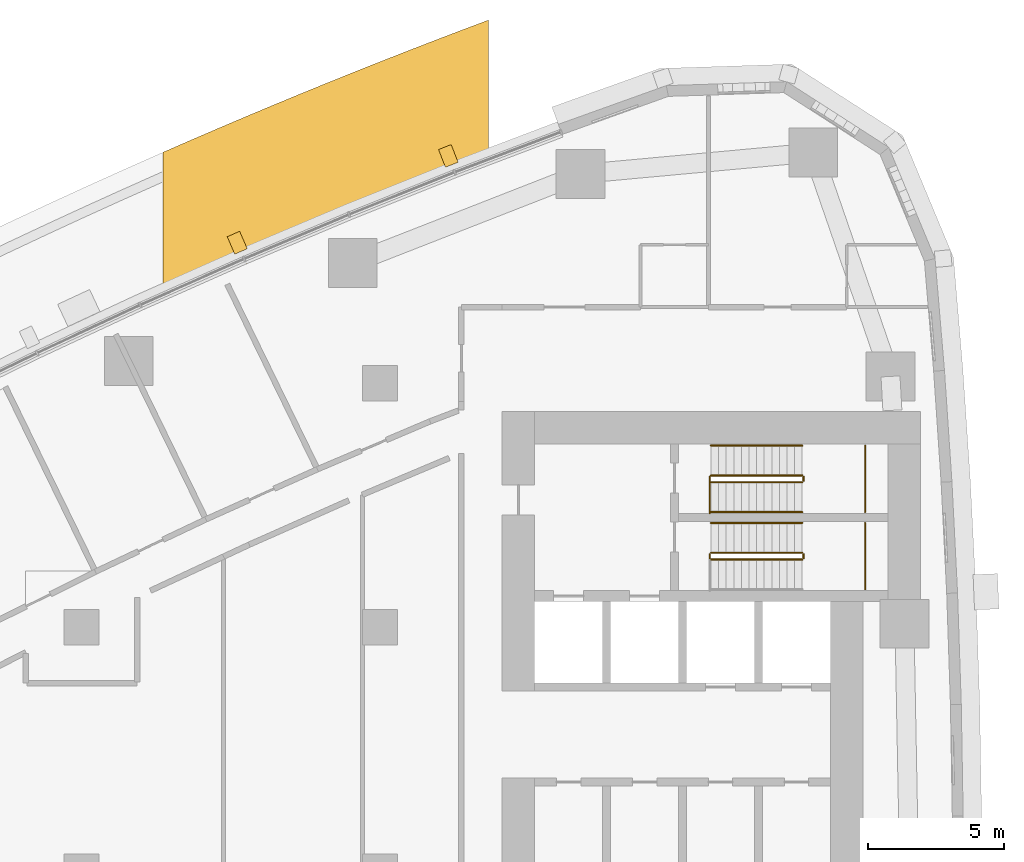
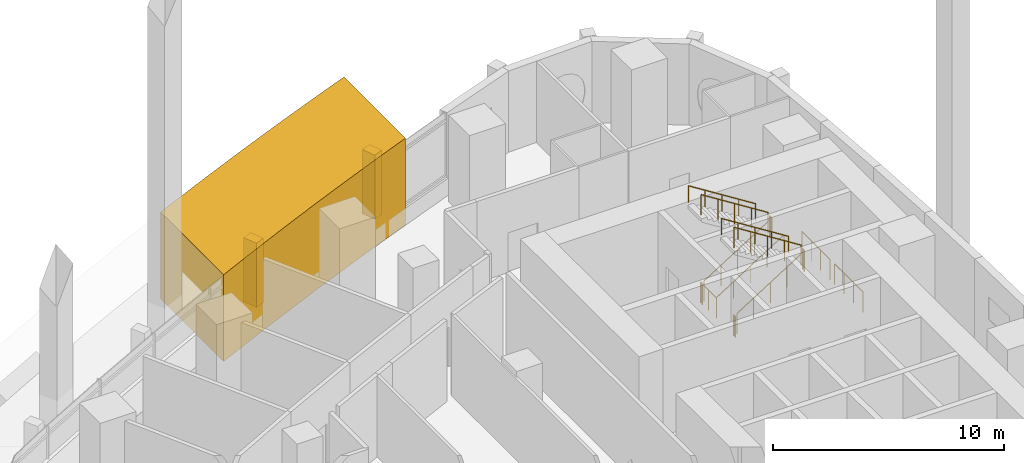
# One storey, part 18 of 20: 14 railings, 3 coverings.
"""IFC4 building model written with IfcOpenShell, lengths in metres."""

from ifc_helpers import new_model, si_unit, direction, frame, frame_2d, origin, origin_2d, place, context, subcontext, project, spatial, polyline, rectangle, circle, outline, extrude, material, layer, layer_set, type_object, element, save


model = new_model("IFC4")

# Units and contexts
model_context = context("Model", 3, precision=1e-05, world=origin(), true_north=direction((0.0, 1.0)))
body_context = subcontext(model_context, "Body", "Model", "MODEL_VIEW")
ifc_project = project(units=[si_unit("LENGTHUNIT", "METRE"), si_unit("AREAUNIT", "SQUARE_METRE"), si_unit("VOLUMEUNIT", "CUBIC_METRE"), si_unit("PLANEANGLEUNIT", "RADIAN"), si_unit("MASSUNIT", "GRAM", prefix="KILO")], contexts=[model_context])

# Site, building, storey
site_placement = place(None, origin())
site = spatial("IfcSite", under=ifc_project, at=site_placement, CompositionType="ELEMENT")
building_placement = place(site_placement, origin())
building = spatial("IfcBuilding", under=site, at=building_placement, Name="Ostrand Prow Hotel Tower", CompositionType="ELEMENT")
storey_placement = place(building_placement, frame((0.0, 0.0, 35.0)))
storey = spatial("IfcBuildingStorey", under=building, at=storey_placement, Name="L06", CompositionType="ELEMENT", Elevation=35.0)

# Coverings
ifc_material_1 = material(Name="Limestone cladding", Category="masonry")
ifc_layer_1 = layer(ifc_material_1, 5.0)
ifc_layer_set_1 = layer_set([ifc_layer_1], Name="Limestone cladding")
covering_type_1 = type_object("IfcCoveringType", Name="Portal jamb pilaster limestone", PredefinedType="CLADDING", material=ifc_layer_set_1)
covering_placement = place(storey_placement, origin())
element("IfcCovering", 1, at=covering_placement, inside=storey, type_object=covering_type_1, Name="Portal jamb NB L06", PredefinedType="CLADDING", context=body_context, shape_type="SweptSolid", body=[
    extrude(outline(polyline([(37.0, 21.037109375), (38.0, 21.484619140625), (39.0, 21.9267578125), (40.0, 22.363037109375), (41.0, 22.793701171875), (42.0, 23.218505859375), (43.0, 23.637939453125), (44.0, 24.051513671875), (45.0, 24.459716796875), (46.0, 24.862548828125), (47.0, 25.259765625), (48.0, 25.6513671875), (49.0, 26.03759765625), (49.0, 31.384521484375), (48.0, 31.0078125), (47.0, 30.62548828125), (46.0, 30.23828125), (45.0, 29.845703125), (44.0, 29.447509765625), (43.0, 29.044189453125), (42.0, 28.635498046875), (41.0, 28.22119140625), (40.0, 27.801513671875), (39.0, 27.376220703125), (38.0, 26.945556640625), (37.0, 26.50927734375), (37.0, 21.037109375)])), origin(), (0.0, 0.0, 1.0), 4.60009765625),
])
ifc_material_2 = material(Name="Limestone cladding", Category="masonry")
ifc_layer_2 = layer(ifc_material_2, 0.5)
ifc_layer_set_2 = layer_set([ifc_layer_2], Name="Limestone cladding")
covering_type_2 = type_object("IfcCoveringType", Name="Precast stone fin 500x600", PredefinedType="CLADDING", material=ifc_layer_set_2)
for number, where, z_axis, x_axis, name in (
    (2, (47.64404296875, 26.04931640625, 0.89990234375), (0.0, 0.0, 1.0), (-0.363439124907, 0.931617948779, 0.0), "Stone fin N 2"),
    (3, (39.876220703125, 22.854248046875, 0.89990234375), (0.0, 0.0, 1.0), (-0.397284388642, 0.917695545669, 0.0), "Stone fin N 4"),
):
    element("IfcCovering", number, at=place(storey_placement, frame(where, z_axis=z_axis, x_axis=x_axis)), inside=storey, type_object=covering_type_2, Name=name, PredefinedType="CLADDING", context=body_context, shape_type="SweptSolid", body=[
        extrude(rectangle(XDim=0.699951171875, YDim=0.5, at=frame_2d((0.35009765625, 0.0))), origin(), (0.0, 0.0, 1.0), 3.400146484375),
    ])

# Railings
ifc_material_3 = material(Name="Painted steel", Category="steel")
railing_type_1 = type_object("IfcRailingType", Name="Stair guard 1100", PredefinedType="GUARDRAIL", material=ifc_material_3)
railing_1_placement = place(storey_placement, frame((57.199951171875, 11.5, 0.177001953125)))
element("IfcRailing", 4, at=railing_1_placement, inside=storey, type_object=railing_type_1, Name="L06 ST1C stair guard 1", PredefinedType="GUARDRAIL", context=body_context, shape_type="SweptSolid", body=[
    extrude(circle(Radius=0.02392578125, at=origin_2d()), frame((0.0, 0.0, 1.076171875), z_axis=(0.845389635667, 0.0, 0.534150132366), x_axis=(0.0, 1.0, 0.0)), (0.0, 0.0, 1.0), 3.974609375),
    extrude(circle(Radius=0.02099609375, at=origin_2d()), origin(), (0.0, 0.0, 1.0), 1.052001953125),
    extrude(circle(Radius=0.02099609375, at=origin_2d()), frame((0.840087890625, 0.0, 0.53076171875)), (0.0, 0.0, 1.0), 1.052001953125),
    extrude(circle(Radius=0.02099609375, at=origin_2d()), frame((1.68017578125, 0.0, 1.0615234375)), (0.0, 0.0, 1.0), 1.052001953125),
    extrude(circle(Radius=0.02099609375, at=origin_2d()), frame((2.52001953125, 0.0, 1.59228515625)), (0.0, 0.0, 1.0), 1.052001953125),
    extrude(circle(Radius=0.02099609375, at=origin_2d()), frame((3.360107421875, 0.0, 2.123046875)), (0.0, 0.0, 1.0), 1.052001953125),
])
railing_2_placement = place(storey_placement, frame((60.610107421875, 11.550048828125, 2.300048828125)))
element("IfcRailing", 5, at=railing_2_placement, inside=storey, type_object=railing_type_1, Name="L06 ST1C stair guard 2", PredefinedType="GUARDRAIL", context=body_context, shape_type="SweptSolid", body=[
    extrude(circle(Radius=0.02392578125, at=origin_2d()), frame((0.0, 0.0, 1.076171875), z_axis=(0.0, 1.0, 0.0), x_axis=(-1.0, 0.0, 0.0)), (0.0, 0.0, 1.0), 0.14990234375),
    extrude(circle(Radius=0.02099609375, at=origin_2d()), origin(), (0.0, 0.0, 1.0), 1.052001953125),
    extrude(circle(Radius=0.02099609375, at=origin_2d()), frame((0.0, 0.14990234375, 0.0)), (0.0, 0.0, 1.0), 1.052001953125),
])
railing_3_placement = place(storey_placement, frame((60.56005859375, 11.75, 2.476806640625)))
element("IfcRailing", 6, at=railing_3_placement, inside=storey, type_object=railing_type_1, Name="L06 ST1C stair guard 3", PredefinedType="GUARDRAIL", context=body_context, shape_type="SweptSolid", body=[
    extrude(circle(Radius=0.02392578125, at=origin_2d()), frame((0.0, 0.0, 1.076171875), z_axis=(-0.845361898145, 0.0, 0.534194029511), x_axis=(0.0, -1.0, 0.0)), (0.0, 0.0, 1.0), 3.974853515625),
    extrude(circle(Radius=0.02099609375, at=origin_2d()), origin(), (0.0, 0.0, 1.0), 1.052001953125),
    extrude(circle(Radius=0.02099609375, at=origin_2d()), frame((-0.840087890625, 0.0, 0.53076171875)), (0.0, 0.0, 1.0), 1.052001953125),
    extrude(circle(Radius=0.02099609375, at=origin_2d()), frame((-1.68017578125, 0.0, 1.0615234375)), (0.0, 0.0, 1.0), 1.052001953125),
    extrude(circle(Radius=0.02099609375, at=origin_2d()), frame((-2.52001953125, 0.0, 1.592529296875)), (0.0, 0.0, 1.0), 1.052001953125),
    extrude(circle(Radius=0.02099609375, at=origin_2d()), frame((-3.360107421875, 0.0, 2.123291015625)), (0.0, 0.0, 1.0), 1.052001953125),
])
railing_4_placement = place(storey_placement, frame((57.14990234375, 11.550048828125, 0.0)))
element("IfcRailing", 7, at=railing_4_placement, inside=storey, type_object=railing_type_1, Name="L06 ST1C stair guard 4", PredefinedType="GUARDRAIL", context=body_context, shape_type="SweptSolid", body=[
    extrude(circle(Radius=0.02392578125, at=origin_2d()), frame((0.0, 0.0, 1.076171875), z_axis=(0.0, 1.0, 0.0), x_axis=(-1.0, 0.0, 0.0)), (0.0, 0.0, 1.0), 0.14990234375),
    extrude(circle(Radius=0.02099609375, at=origin_2d()), origin(), (0.0, 0.0, 1.0), 1.052001953125),
    extrude(circle(Radius=0.02099609375, at=origin_2d()), frame((0.0, 0.14990234375, 0.0)), (0.0, 0.0, 1.0), 1.052001953125),
])
railing_5_placement = place(storey_placement, frame((57.14990234375, 13.199951171875, 0.0)))
element("IfcRailing", 8, at=railing_5_placement, inside=storey, type_object=railing_type_1, Name="L06 ST3B top well guard 1", PredefinedType="GUARDRAIL", context=body_context, shape_type="SweptSolid", body=[
    extrude(circle(Radius=0.02392578125, at=origin_2d()), frame((0.0, 0.0, 1.076171875), z_axis=(0.0, 1.0, 0.0), x_axis=(-1.0, 0.0, 0.0)), (0.0, 0.0, 1.0), 1.35009765625),
    extrude(circle(Radius=0.02099609375, at=origin_2d()), origin(), (0.0, 0.0, 1.0), 1.052001953125),
    extrude(circle(Radius=0.02099609375, at=origin_2d()), frame((0.0, 0.675048828125, 0.0)), (0.0, 0.0, 1.0), 1.052001953125),
    extrude(circle(Radius=0.02099609375, at=origin_2d()), frame((0.0, 1.35009765625, 0.0)), (0.0, 0.0, 1.0), 1.052001953125),
])
railing_6_placement = place(storey_placement, frame((57.199951171875, 14.35009765625, 0.177001953125)))
element("IfcRailing", 9, at=railing_6_placement, inside=storey, type_object=railing_type_1, Name="L06 ST3C stair guard 1", PredefinedType="GUARDRAIL", context=body_context, shape_type="SweptSolid", body=[
    extrude(circle(Radius=0.02392578125, at=origin_2d()), frame((0.0, 0.0, 1.076171875), z_axis=(0.845389635667, 0.0, 0.534150132366), x_axis=(0.0, 1.0, 0.0)), (0.0, 0.0, 1.0), 3.974609375),
    extrude(circle(Radius=0.02099609375, at=origin_2d()), origin(), (0.0, 0.0, 1.0), 1.052001953125),
    extrude(circle(Radius=0.02099609375, at=origin_2d()), frame((0.840087890625, 0.0, 0.53076171875)), (0.0, 0.0, 1.0), 1.052001953125),
    extrude(circle(Radius=0.02099609375, at=origin_2d()), frame((1.68017578125, 0.0, 1.0615234375)), (0.0, 0.0, 1.0), 1.052001953125),
    extrude(circle(Radius=0.02099609375, at=origin_2d()), frame((2.52001953125, 0.0, 1.59228515625)), (0.0, 0.0, 1.0), 1.052001953125),
    extrude(circle(Radius=0.02099609375, at=origin_2d()), frame((3.360107421875, 0.0, 2.123046875)), (0.0, 0.0, 1.0), 1.052001953125),
])
railing_7_placement = place(storey_placement, frame((60.610107421875, 14.39990234375, 2.300048828125)))
element("IfcRailing", 10, at=railing_7_placement, inside=storey, type_object=railing_type_1, Name="L06 ST3C stair guard 2", PredefinedType="GUARDRAIL", context=body_context, shape_type="SweptSolid", body=[
    extrude(circle(Radius=0.02392578125, at=origin_2d()), frame((0.0, 0.0, 1.076171875), z_axis=(0.0, 1.0, 0.0), x_axis=(-1.0, 0.0, 0.0)), (0.0, 0.0, 1.0), 0.150146484375),
    extrude(circle(Radius=0.02099609375, at=origin_2d()), origin(), (0.0, 0.0, 1.0), 1.052001953125),
    extrude(circle(Radius=0.02099609375, at=origin_2d()), frame((0.0, 0.150146484375, 0.0)), (0.0, 0.0, 1.0), 1.052001953125),
])
railing_8_placement = place(storey_placement, frame((60.56005859375, 14.60009765625, 2.476806640625)))
element("IfcRailing", 11, at=railing_8_placement, inside=storey, type_object=railing_type_1, Name="L06 ST3C stair guard 3", PredefinedType="GUARDRAIL", context=body_context, shape_type="SweptSolid", body=[
    extrude(circle(Radius=0.02392578125, at=origin_2d()), frame((0.0, 0.0, 1.076171875), z_axis=(-0.845361898145, 0.0, 0.534194029511), x_axis=(0.0, -1.0, 0.0)), (0.0, 0.0, 1.0), 3.974853515625),
    extrude(circle(Radius=0.02099609375, at=origin_2d()), origin(), (0.0, 0.0, 1.0), 1.052001953125),
    extrude(circle(Radius=0.02099609375, at=origin_2d()), frame((-0.840087890625, 0.0, 0.53076171875)), (0.0, 0.0, 1.0), 1.052001953125),
    extrude(circle(Radius=0.02099609375, at=origin_2d()), frame((-1.68017578125, 0.0, 1.0615234375)), (0.0, 0.0, 1.0), 1.052001953125),
    extrude(circle(Radius=0.02099609375, at=origin_2d()), frame((-2.52001953125, 0.0, 1.592529296875)), (0.0, 0.0, 1.0), 1.052001953125),
    extrude(circle(Radius=0.02099609375, at=origin_2d()), frame((-3.360107421875, 0.0, 2.123291015625)), (0.0, 0.0, 1.0), 1.052001953125),
])
railing_9_placement = place(storey_placement, frame((57.14990234375, 14.39990234375, 0.0)))
element("IfcRailing", 12, at=railing_9_placement, inside=storey, type_object=railing_type_1, Name="L06 ST3C stair guard 4", PredefinedType="GUARDRAIL", context=body_context, shape_type="SweptSolid", body=[
    extrude(circle(Radius=0.02392578125, at=origin_2d()), frame((0.0, 0.0, 1.076171875), z_axis=(0.0, 1.0, 0.0), x_axis=(-1.0, 0.0, 0.0)), (0.0, 0.0, 1.0), 0.150146484375),
    extrude(circle(Radius=0.02099609375, at=origin_2d()), origin(), (0.0, 0.0, 1.0), 1.052001953125),
    extrude(circle(Radius=0.02099609375, at=origin_2d()), frame((0.0, 0.150146484375, 0.0)), (0.0, 0.0, 1.0), 1.052001953125),
])
railing_10_placement = place(storey_placement, frame((62.8798828125, 10.39990234375, 0.0)))
element("IfcRailing", 13, at=railing_10_placement, inside=storey, type_object=railing_type_1, Name="ST1 stair edge guard", PredefinedType="GUARDRAIL", context=body_context, shape_type="SweptSolid", body=[
    extrude(circle(Radius=0.02392578125, at=origin_2d()), frame((0.0, 0.0, 1.076171875), z_axis=(0.0, 1.0, 0.0), x_axis=(-1.0, 0.0, 0.0)), (0.0, 0.0, 1.0), 2.4501953125),
    extrude(circle(Radius=0.02099609375, at=origin_2d()), origin(), (0.0, 0.0, 1.0), 1.052001953125),
    extrude(circle(Radius=0.02099609375, at=origin_2d()), frame((0.0, 0.816650390625, 0.0)), (0.0, 0.0, 1.0), 1.052001953125),
    extrude(circle(Radius=0.02099609375, at=origin_2d()), frame((0.0, 1.633544921875, 0.0)), (0.0, 0.0, 1.0), 1.052001953125),
    extrude(circle(Radius=0.02099609375, at=origin_2d()), frame((0.0, 2.4501953125, 0.0)), (0.0, 0.0, 1.0), 1.052001953125),
])
railing_11_placement = place(storey_placement, frame((62.8798828125, 13.25, 0.0)))
element("IfcRailing", 14, at=railing_11_placement, inside=storey, type_object=railing_type_1, Name="ST3 stair edge guard", PredefinedType="GUARDRAIL", context=body_context, shape_type="SweptSolid", body=[
    extrude(circle(Radius=0.02392578125, at=origin_2d()), frame((0.0, 0.0, 1.076171875), z_axis=(0.0, 1.0, 0.0), x_axis=(-1.0, 0.0, 0.0)), (0.0, 0.0, 1.0), 2.449951171875),
    extrude(circle(Radius=0.02099609375, at=origin_2d()), origin(), (0.0, 0.0, 1.0), 1.052001953125),
    extrude(circle(Radius=0.02099609375, at=origin_2d()), frame((0.0, 0.816650390625, 0.0)), (0.0, 0.0, 1.0), 1.052001953125),
    extrude(circle(Radius=0.02099609375, at=origin_2d()), frame((0.0, 1.63330078125, 0.0)), (0.0, 0.0, 1.0), 1.052001953125),
    extrude(circle(Radius=0.02099609375, at=origin_2d()), frame((0.0, 2.449951171875, 0.0)), (0.0, 0.0, 1.0), 1.052001953125),
])
ifc_material_4 = material(Name="Stainless steel", Category="steel")
railing_type_2 = type_object("IfcRailingType", Name="Stair handrail 900", PredefinedType="HANDRAIL", material=ifc_material_4)
railing_12_placement = place(storey_placement, frame((60.56005859375, 12.85009765625, 2.476806640625)))
element("IfcRailing", 15, at=railing_12_placement, inside=storey, type_object=railing_type_2, Name="L06 ST1C stair handrail 2", PredefinedType="HANDRAIL", context=body_context, shape_type="SweptSolid", body=[
    extrude(circle(Radius=0.02392578125, at=origin_2d()), frame((0.0, 0.0, 0.8759765625), z_axis=(-0.845361898145, 0.0, 0.534194029511), x_axis=(0.0, -1.0, 0.0)), (0.0, 0.0, 1.0), 3.974853515625),
    extrude(circle(Radius=0.02099609375, at=origin_2d()), origin(), (0.0, 0.0, 1.0), 0.851806640625),
    extrude(circle(Radius=0.02099609375, at=origin_2d()), frame((-0.840087890625, 0.0, 0.53076171875)), (0.0, 0.0, 1.0), 0.851806640625),
    extrude(circle(Radius=0.02099609375, at=origin_2d()), frame((-1.68017578125, 0.0, 1.0615234375)), (0.0, 0.0, 1.0), 0.851806640625),
    extrude(circle(Radius=0.02099609375, at=origin_2d()), frame((-2.52001953125, 0.0, 1.592529296875)), (0.0, 0.0, 1.0), 0.851806640625),
    extrude(circle(Radius=0.02099609375, at=origin_2d()), frame((-3.360107421875, 0.0, 2.123291015625)), (0.0, 0.0, 1.0), 0.851806640625),
])
railing_13_placement = place(storey_placement, frame((57.199951171875, 13.25, 0.177001953125)))
element("IfcRailing", 16, at=railing_13_placement, inside=storey, type_object=railing_type_2, Name="L06 ST3C stair handrail 1", PredefinedType="HANDRAIL", context=body_context, shape_type="SweptSolid", body=[
    extrude(circle(Radius=0.02392578125, at=origin_2d()), frame((0.0, 0.0, 0.8759765625), z_axis=(0.845389635667, 0.0, 0.534150132366), x_axis=(0.0, 1.0, 0.0)), (0.0, 0.0, 1.0), 3.974609375),
    extrude(circle(Radius=0.02099609375, at=origin_2d()), origin(), (0.0, 0.0, 1.0), 0.851806640625),
    extrude(circle(Radius=0.02099609375, at=origin_2d()), frame((0.840087890625, 0.0, 0.53076171875)), (0.0, 0.0, 1.0), 0.851806640625),
    extrude(circle(Radius=0.02099609375, at=origin_2d()), frame((1.68017578125, 0.0, 1.0615234375)), (0.0, 0.0, 1.0), 0.851806640625),
    extrude(circle(Radius=0.02099609375, at=origin_2d()), frame((2.52001953125, 0.0, 1.59228515625)), (0.0, 0.0, 1.0), 0.851806640625),
    extrude(circle(Radius=0.02099609375, at=origin_2d()), frame((3.360107421875, 0.0, 2.123046875)), (0.0, 0.0, 1.0), 0.851806640625),
])
railing_14_placement = place(storey_placement, frame((60.56005859375, 15.699951171875, 2.476806640625)))
element("IfcRailing", 17, at=railing_14_placement, inside=storey, type_object=railing_type_2, Name="L06 ST3C stair handrail 2", PredefinedType="HANDRAIL", context=body_context, shape_type="SweptSolid", body=[
    extrude(circle(Radius=0.02392578125, at=origin_2d()), frame((0.0, 0.0, 0.8759765625), z_axis=(-0.845361898145, 0.0, 0.534194029511), x_axis=(0.0, -1.0, 0.0)), (0.0, 0.0, 1.0), 3.974853515625),
    extrude(circle(Radius=0.02099609375, at=origin_2d()), origin(), (0.0, 0.0, 1.0), 0.851806640625),
    extrude(circle(Radius=0.02099609375, at=origin_2d()), frame((-0.840087890625, 0.0, 0.53076171875)), (0.0, 0.0, 1.0), 0.851806640625),
    extrude(circle(Radius=0.02099609375, at=origin_2d()), frame((-1.68017578125, 0.0, 1.0615234375)), (0.0, 0.0, 1.0), 0.851806640625),
    extrude(circle(Radius=0.02099609375, at=origin_2d()), frame((-2.52001953125, 0.0, 1.592529296875)), (0.0, 0.0, 1.0), 0.851806640625),
    extrude(circle(Radius=0.02099609375, at=origin_2d()), frame((-3.360107421875, 0.0, 2.123291015625)), (0.0, 0.0, 1.0), 0.851806640625),
])

save(model, "model.ifc")
